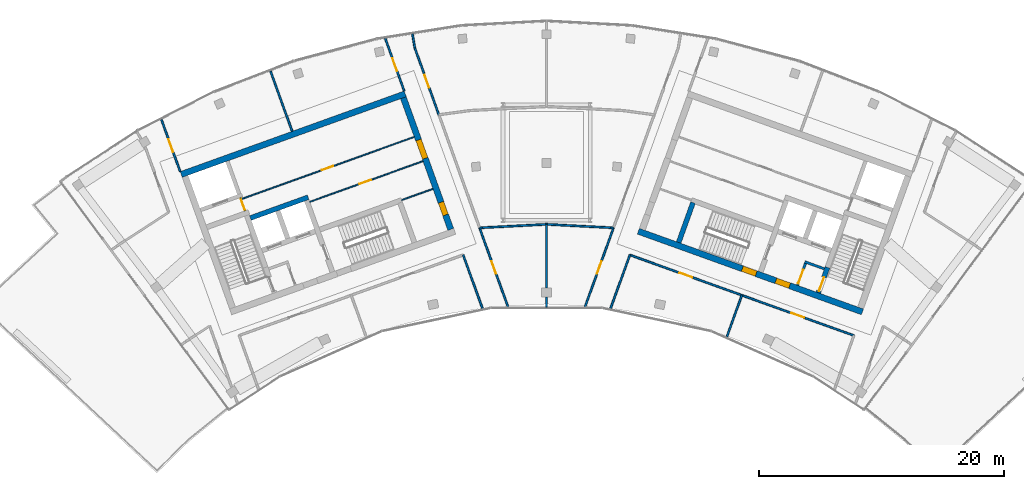
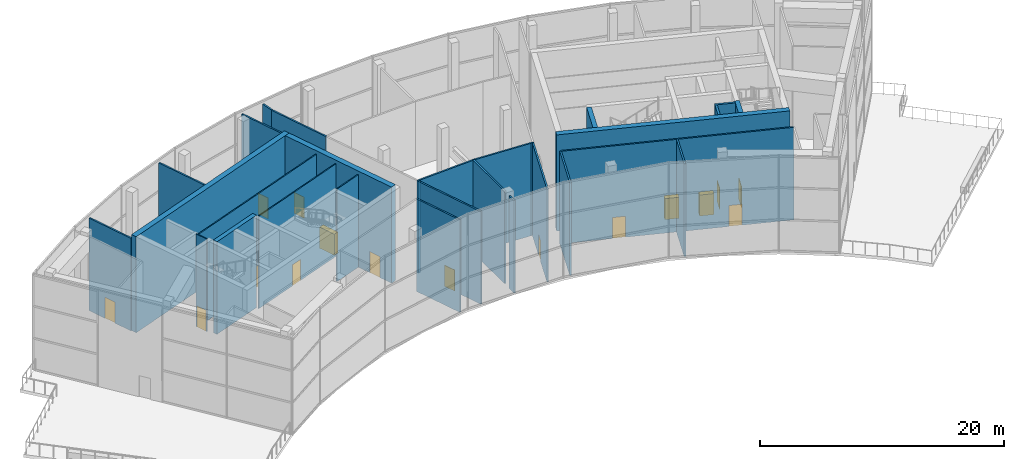
# One storey, part 14 of 20: 30 walls, 16 doors, 16 openings.
"""IFC4 building model written with IfcOpenShell, lengths in metres."""

from ifc_helpers import new_model, si_unit, direction, frame, frame_2d, origin, place, context, subcontext, project, spatial, rectangle, extrude, material, layer, layer_set, type_object, element, fill, save


model = new_model("IFC4")

# Units and contexts
model_context = context("Model", 3, precision=1e-05, world=origin(), true_north=direction((0.0, 1.0)))
body_context = subcontext(model_context, "Body", "Model", "MODEL_VIEW")
ifc_project = project(units=[si_unit("LENGTHUNIT", "METRE"), si_unit("AREAUNIT", "SQUARE_METRE"), si_unit("VOLUMEUNIT", "CUBIC_METRE"), si_unit("PLANEANGLEUNIT", "RADIAN"), si_unit("MASSUNIT", "GRAM", prefix="KILO")], contexts=[model_context])

# Site, building, storey
site_placement = place(None, origin())
site = spatial("IfcSite", under=ifc_project, at=site_placement, CompositionType="ELEMENT")
building_placement = place(site_placement, origin())
building = spatial("IfcBuilding", under=site, at=building_placement, Name="Stone Belt Terrace Tower", CompositionType="ELEMENT")
storey_placement = place(building_placement, frame((0.0, 0.0, 323.0)))
storey = spatial("IfcBuildingStorey", under=building, at=storey_placement, Name="L78", CompositionType="ELEMENT", Elevation=323.0)

# Wall, opening, door
ifc_material_1 = material(Name="Plasterboard partition")
ifc_layer_1 = layer(ifc_material_1, 0.10009765625)
ifc_layer_set_1 = layer_set([ifc_layer_1], Name="Core partition 100")
wall_type_1 = type_object("IfcWallType", Name="Core partition 100", PredefinedType="PARTITIONING", material=ifc_layer_set_1)
wall_1_placement = place(storey_placement, frame((-24.555908203125, 51.10400390625, 0.0), z_axis=(0.0, 0.0, 1.0), x_axis=(-0.338621735342, 0.94092258999, 0.0)))
wall_1 = element("IfcWall", 1, at=wall_1_placement, inside=storey, type_object=wall_type_1, Name="Core A wall", PredefinedType="PARTITIONING", context=body_context, shape_type="SweptSolid", body=[
    extrude(rectangle(XDim=1.14990234375, YDim=0.10009765625, at=frame_2d((0.574951171875, 0.0))), origin(), (0.0, 0.0, 1.0), 9.25),
])
opening_1_placement = place(wall_1_placement, frame((0.050048828125, 0.0, 0.0)))
opening_1 = element("IfcOpeningElement", 2, at=opening_1_placement, cuts=wall_1, Name="Opening L78-C03", PredefinedType="OPENING", context=body_context, shape_type="SweptSolid", body=[
    extrude(rectangle(XDim=1.0, YDim=2.10009765625, at=frame_2d((0.5, 1.050048828125))), frame((0.0, 0.06005859375, 0.0), z_axis=(0.0, -1.0, 0.0), x_axis=(1.0, 0.0, 0.0)), (0.0, 0.0, 1.0), 0.1201171875),
])
ifc_material_2 = material(Name="Timber door leaf", Category="wood")
door_type_1 = type_object("IfcDoorType", Name="Core room door 1000", OperationType="SINGLE_SWING_LEFT", PredefinedType="DOOR", material=ifc_material_2)
door_1_placement = place(opening_1_placement, origin())
door_1 = element("IfcDoor", 3, at=door_1_placement, inside=storey, type_object=door_type_1, Name="Service lift lobby door core A", OperationType="SINGLE_SWING_RIGHT", OverallHeight=2.10009765625, OverallWidth=1.0, PredefinedType="DOOR", context=body_context, shape_type="SweptSolid", body=[
    extrude(rectangle(XDim=1.0, YDim=2.10009765625, at=frame_2d((0.5, 1.050048828125))), frame((0.0, 0.02490234375, 0.0), z_axis=(0.0, -1.0, 0.0), x_axis=(1.0, 0.0, 0.0)), (0.0, 0.0, 1.0), 0.050048828125),
])
fill(opening_1, door_1)

wall_2_placement = place(storey_placement, frame((-24.847412109375, 52.061767578125, 0.0), z_axis=(0.0, 0.0, 1.0), x_axis=(0.940921131887, 0.338625786921, 0.0)))
wall_2 = element("IfcWall", 4, at=wall_2_placement, inside=storey, type_object=wall_type_1, Name="Core A wall", PredefinedType="PARTITIONING", context=body_context, shape_type="SweptSolid", body=[
    extrude(rectangle(XDim=14.9501953125, YDim=0.10009765625, at=frame_2d((7.47509765625, 0.0))), origin(), (0.0, 0.0, 1.0), 9.25),
])
opening_2_placement = place(wall_2_placement, frame((6.949951171875, 0.0, 0.0)))
opening_2 = element("IfcOpeningElement", 5, at=opening_2_placement, cuts=wall_2, Name="Opening L78-C01", PredefinedType="OPENING", context=body_context, shape_type="SweptSolid", body=[
    extrude(rectangle(XDim=1.0, YDim=2.10009765625, at=frame_2d((0.5, 1.050048828125))), frame((0.0, 0.06005859375, 0.0), z_axis=(0.0, -1.0, 0.0), x_axis=(1.0, 0.0, 0.0)), (0.0, 0.0, 1.0), 0.1201171875),
])
door_2_placement = place(opening_2_placement, origin())
door_2 = element("IfcDoor", 6, at=door_2_placement, inside=storey, type_object=door_type_1, Name="Door to Electrical room core A", OperationType="SINGLE_SWING_RIGHT", OverallHeight=2.10009765625, OverallWidth=1.0, PredefinedType="DOOR", context=body_context, shape_type="SweptSolid", body=[
    extrude(rectangle(XDim=1.0, YDim=2.10009765625, at=frame_2d((0.5, 1.050048828125))), frame((0.0, 0.02490234375, 0.0), z_axis=(0.0, -1.0, 0.0), x_axis=(1.0, 0.0, 0.0)), (0.0, 0.0, 1.0), 0.050048828125),
])
fill(opening_2, door_2)

wall_3_placement = place(storey_placement, frame((-19.29052734375, 51.829833984375, 0.0), z_axis=(0.0, 0.0, 1.0), x_axis=(0.940925833398, 0.338612722803, 0.0)))
wall_3 = element("IfcWall", 7, at=wall_3_placement, inside=storey, type_object=wall_type_1, Name="Core A wall", PredefinedType="PARTITIONING", context=body_context, shape_type="SweptSolid", body=[
    extrude(rectangle(XDim=9.7998046875, YDim=0.10009765625, at=frame_2d((4.89990234375, 0.0))), origin(), (0.0, 0.0, 1.0), 9.25),
])
opening_3_placement = place(wall_3_placement, frame((4.300048828125, 0.0, 0.0)))
opening_3 = element("IfcOpeningElement", 8, at=opening_3_placement, cuts=wall_3, Name="Opening L78-C02", PredefinedType="OPENING", context=body_context, shape_type="SweptSolid", body=[
    extrude(rectangle(XDim=1.0, YDim=2.10009765625, at=frame_2d((0.5, 1.050048828125))), frame((0.0, 0.06005859375, 0.0), z_axis=(0.0, -1.0, 0.0), x_axis=(1.0, 0.0, 0.0)), (0.0, 0.0, 1.0), 0.1201171875),
])
door_3_placement = place(opening_3_placement, origin())
door_3 = element("IfcDoor", 9, at=door_3_placement, inside=storey, type_object=door_type_1, Name="Door to Ventilation plant room core A", OperationType="SINGLE_SWING_RIGHT", OverallHeight=2.10009765625, OverallWidth=1.0, PredefinedType="DOOR", context=body_context, shape_type="SweptSolid", body=[
    extrude(rectangle(XDim=1.0, YDim=2.10009765625, at=frame_2d((0.5, 1.050048828125))), frame((0.0, 0.02490234375, 0.0), z_axis=(0.0, -1.0, 0.0), x_axis=(1.0, 0.0, 0.0)), (0.0, 0.0, 1.0), 0.050048828125),
])
fill(opening_3, door_3)

# Walls
wall_4_placement = place(storey_placement, frame((-11.797119140625, 51.975830078125, 0.0), z_axis=(0.0, 0.0, 1.0), x_axis=(0.940910465161, 0.33865542451, 0.0)))
element("IfcWall", 10, at=wall_4_placement, inside=storey, type_object=wall_type_1, Name="Core A wall", PredefinedType="PARTITIONING", context=body_context, shape_type="SweptSolid", body=[
    extrude(rectangle(XDim=2.69970703125, YDim=0.10009765625, at=frame_2d((1.349853515625, 0.0))), origin(), (0.0, 0.0, 1.0), 9.25),
])
ifc_material_3 = material(Name="Concrete B60", Category="concrete")
ifc_layer_2 = layer(ifc_material_3, 0.5)
ifc_layer_set_2 = layer_set([ifc_layer_2], Name="Core wall 500 B60")
wall_type_2 = type_object("IfcWallType", Name="Core wall 500 B60", PredefinedType="SHEAR", material=ifc_layer_set_2)
wall_5_placement = place(storey_placement, frame((-29.76611328125, 54.064453125, 0.0), z_axis=(0.0, 0.0, 1.0), x_axis=(0.940921417488, 0.338624993336, 0.0)))
element("IfcWall", 11, at=wall_5_placement, inside=storey, type_object=wall_type_2, Name="Core A wall convex L78", PredefinedType="SHEAR", context=body_context, shape_type="SweptSolid", body=[
    extrude(rectangle(XDim=19.400146484375, YDim=0.5, at=frame_2d((9.7001953125, 0.0))), origin(), (0.0, 0.0, 1.0), 9.60009765625),
])

# Wall, openings, doors
wall_6_placement = place(storey_placement, frame((-7.802490234375, 49.58740234375, 0.0), z_axis=(0.0, 0.0, 1.0), x_axis=(-0.338625431531, 0.940921259788, 0.0)))
wall_6 = element("IfcWall", 12, at=wall_6_placement, inside=storey, type_object=wall_type_2, Name="Core A wall end_b L78", PredefinedType="SHEAR", context=body_context, shape_type="SweptSolid", body=[
    extrude(rectangle(XDim=11.400146484375, YDim=0.5, at=frame_2d((5.7001953125, 0.0))), origin(), (0.0, 0.0, 1.0), 9.60009765625),
])
opening_4_placement = place(wall_6_placement, frame((6.14990234375, 0.0, 0.0)))
opening_4 = element("IfcOpeningElement", 13, at=opening_4_placement, cuts=wall_6, Name="Opening L78-C04", PredefinedType="OPENING", context=body_context, shape_type="SweptSolid", body=[
    extrude(rectangle(XDim=1.60009765625, YDim=2.10009765625, at=frame_2d((0.800048828125, 1.050048828125))), frame((0.0, 0.260009765625, 0.0), z_axis=(0.0, -1.0, 0.0), x_axis=(1.0, 0.0, 0.0)), (0.0, 0.0, 1.0), 0.52001953125),
])
opening_5_placement = place(wall_6_placement, frame((1.25, 0.0, 0.0)))
opening_5 = element("IfcOpeningElement", 14, at=opening_5_placement, cuts=wall_6, Name="Opening L78-C10", PredefinedType="OPENING", context=body_context, shape_type="SweptSolid", body=[
    extrude(rectangle(XDim=1.10009765625, YDim=2.10009765625, at=frame_2d((0.550048828125, 1.050048828125))), frame((0.0, 0.260009765625, 0.0), z_axis=(0.0, -1.0, 0.0), x_axis=(1.0, 0.0, 0.0)), (0.0, 0.0, 1.0), 0.52001953125),
])
door_type_2 = type_object("IfcDoorType", Name="Core room door 1100", OperationType="SINGLE_SWING_LEFT", PredefinedType="DOOR", material=ifc_material_2)
door_4_placement = place(opening_5_placement, origin())
door_4 = element("IfcDoor", 15, at=door_4_placement, inside=storey, type_object=door_type_2, Name="Door to Mechanical plant room core A", OperationType="SINGLE_SWING_RIGHT", OverallHeight=2.10009765625, OverallWidth=1.10009765625, PredefinedType="DOOR", context=body_context, shape_type="SweptSolid", body=[
    extrude(rectangle(XDim=1.10009765625, YDim=2.10009765625, at=frame_2d((0.550048828125, 1.050048828125))), frame((0.0, 0.22998046875, 0.0), z_axis=(0.0, -1.0, 0.0), x_axis=(1.0, 0.0, 0.0)), (0.0, 0.0, 1.0), 0.4599609375),
])
fill(opening_5, door_4)
ifc_material_4 = material(Name="Glazed aluminium door leaf", Category="aluminium")
door_type_3 = type_object("IfcDoorType", Name="Lift lobby entrance door 1600", OperationType="DOUBLE_DOOR_SINGLE_SWING", PredefinedType="DOOR", material=ifc_material_4)
door_5_placement = place(opening_4_placement, origin())
door_5 = element("IfcDoor", 16, at=door_5_placement, inside=storey, type_object=door_type_3, Name="Lift lobby entrance door core A", OperationType="DOUBLE_DOOR_SINGLE_SWING", OverallHeight=2.10009765625, OverallWidth=1.60009765625, PredefinedType="DOOR", context=body_context, shape_type="SweptSolid", body=[
    extrude(rectangle(XDim=1.60009765625, YDim=2.10009765625, at=frame_2d((0.800048828125, 1.050048828125))), frame((0.0, 0.22998046875, 0.0), z_axis=(0.0, -1.0, 0.0), x_axis=(1.0, 0.0, 0.0)), (0.0, 0.0, 1.0), 0.4599609375),
])
fill(opening_4, door_5)

wall_7_placement = place(storey_placement, frame((7.482666015625, 49.43701171875, 0.0), z_axis=(0.0, 0.0, 1.0), x_axis=(0.940917407757, -0.338636134781, 0.0)))
wall_7 = element("IfcWall", 17, at=wall_7_placement, inside=storey, type_object=wall_type_2, Name="Core B wall concave L78", PredefinedType="SHEAR", context=body_context, shape_type="SweptSolid", body=[
    extrude(rectangle(XDim=19.400146484375, YDim=0.5, at=frame_2d((9.7001953125, 0.0))), origin(), (0.0, 0.0, 1.0), 9.60009765625),
])
opening_6_placement = place(wall_7_placement, frame((11.89990234375, 0.0, 0.0)))
opening_6 = element("IfcOpeningElement", 18, at=opening_6_placement, cuts=wall_7, Name="Opening L78-C17", PredefinedType="OPENING", context=body_context, shape_type="SweptSolid", body=[
    extrude(rectangle(XDim=1.199951171875, YDim=2.10009765625, at=frame_2d((0.60009765625, 1.050048828125))), frame((0.0, 0.260009765625, 0.0), z_axis=(0.0, -1.0, 0.0), x_axis=(1.0, 0.0, 0.0)), (0.0, 0.0, 1.0), 0.52001953125),
])
opening_7_placement = place(wall_7_placement, frame((9.0, 0.0, 0.0)))
opening_7 = element("IfcOpeningElement", 19, at=opening_7_placement, cuts=wall_7, Name="Opening L78-C19", PredefinedType="OPENING", context=body_context, shape_type="SweptSolid", body=[
    extrude(rectangle(XDim=1.199951171875, YDim=2.10009765625, at=frame_2d((0.60009765625, 1.050048828125))), frame((0.0, 0.260009765625, 0.0), z_axis=(0.0, -1.0, 0.0), x_axis=(1.0, 0.0, 0.0)), (0.0, 0.0, 1.0), 0.52001953125),
])
ifc_material_5 = material(Name="Steel door leaf", Category="steel")
door_type_4 = type_object("IfcDoorType", Name="Fire-fighting lobby door 1200", OperationType="SINGLE_SWING_LEFT", PredefinedType="DOOR", material=ifc_material_5)
door_6_placement = place(opening_6_placement, origin())
door_6 = element("IfcDoor", 20, at=door_6_placement, inside=storey, type_object=door_type_4, Name="Fire-fighting lobby door core B", OperationType="SINGLE_SWING_LEFT", OverallHeight=2.10009765625, OverallWidth=1.199951171875, PredefinedType="DOOR", context=body_context, shape_type="SweptSolid", body=[
    extrude(rectangle(XDim=1.199951171875, YDim=2.10009765625, at=frame_2d((0.60009765625, 1.050048828125))), frame((0.0, 0.22998046875, 0.0), z_axis=(0.0, -1.0, 0.0), x_axis=(1.0, 0.0, 0.0)), (0.0, 0.0, 1.0), 0.4599609375),
])
fill(opening_6, door_6)
door_type_5 = type_object("IfcDoorType", Name="Stair door 1200", OperationType="SINGLE_SWING_LEFT", PredefinedType="DOOR", material=ifc_material_5)
door_7_placement = place(opening_7_placement, origin())
door_7 = element("IfcDoor", 21, at=door_7_placement, inside=storey, type_object=door_type_5, Name="Stair 2 exit door core B", OperationType="SINGLE_SWING_RIGHT", OverallHeight=2.10009765625, OverallWidth=1.199951171875, PredefinedType="DOOR", context=body_context, shape_type="SweptSolid", body=[
    extrude(rectangle(XDim=1.199951171875, YDim=2.10009765625, at=frame_2d((0.60009765625, 1.050048828125))), frame((0.0, 0.22998046875, 0.0), z_axis=(0.0, -1.0, 0.0), x_axis=(1.0, 0.0, 0.0)), (0.0, 0.0, 1.0), 0.4599609375),
])
fill(opening_7, door_7)

# Wall
ifc_material_6 = material(Name="Concrete B80", Category="concrete")
ifc_layer_3 = layer(ifc_material_6, 0.39990234375)
ifc_layer_set_3 = layer_set([ifc_layer_3], Name="Fire-fighting lift shaft wall 400")
wall_type_3 = type_object("IfcWallType", Name="Fire-fighting lift shaft wall 400", PredefinedType="SHEAR", material=ifc_layer_set_3)
wall_8_placement = place(storey_placement, frame((-24.130615234375, 50.512939453125, 0.0), z_axis=(0.0, 0.0, 1.0), x_axis=(0.94091168377, 0.338652038744, 0.0)))
element("IfcWall", 22, at=wall_8_placement, inside=storey, type_object=wall_type_3, Name="Core A wall", PredefinedType="SHEAR", context=body_context, shape_type="SweptSolid", body=[
    extrude(rectangle(XDim=5.000244140625, YDim=0.39990234375, at=frame_2d((2.5, 0.0))), origin(), (0.0, 0.0, 1.0), 9.25),
])

# Wall, opening, door
ifc_material_7 = material(Name="Gypsum board partition")
ifc_layer_4 = layer(ifc_material_7, 0.14990234375)
ifc_layer_set_4 = layer_set([ifc_layer_4], Name="PARTITION 150 EI 60")
wall_type_4 = type_object("IfcWallType", Name="PARTITION 150 EI 60", PredefinedType="PARTITIONING", material=ifc_layer_set_4)
wall_9_placement = place(storey_placement, frame((-31.3779296875, 58.541015625, 0.0), z_axis=(0.0, 0.0, 1.0), x_axis=(0.338740565995, -0.940879816421, 0.0)))
wall_9 = element("IfcWall", 23, at=wall_9_placement, inside=storey, type_object=wall_type_4, Name="L78/wall/i002", PredefinedType="PARTITIONING", context=body_context, shape_type="SweptSolid", body=[
    extrude(rectangle(XDim=4.507568359375, YDim=0.14990234375, at=frame_2d((2.25390625, 0.0))), origin(), (0.0, 0.0, 1.0), 9.25),
])
opening_8_placement = place(wall_9_placement, frame((1.703857421875, 0.0, 0.0)))
opening_8 = element("IfcOpeningElement", 24, at=opening_8_placement, cuts=wall_9, Name="Opening D-C78-03", PredefinedType="OPENING", context=body_context, shape_type="SweptSolid", body=[
    extrude(rectangle(XDim=1.10009765625, YDim=2.10009765625, at=frame_2d((0.550048828125, 1.050048828125))), frame((0.0, 0.0849609375, 0.0), z_axis=(0.0, -1.0, 0.0), x_axis=(1.0, 0.0, 0.0)), (0.0, 0.0, 1.0), 0.169921875),
])
ifc_material_8 = material(Name="Steel fire door set", Category="steel")
door_type_6 = type_object("IfcDoorType", Name="SERVICE ROOM DOOR 1100 X 2100", OperationType="NOTDEFINED", PredefinedType="DOOR", material=ifc_material_8)
door_8_placement = place(opening_8_placement, origin())
door_8 = element("IfcDoor", 25, at=door_8_placement, inside=storey, type_object=door_type_6, Name="L78/door/i03", OperationType="SINGLE_SWING_RIGHT", OverallHeight=2.10009765625, OverallWidth=1.10009765625, PredefinedType="DOOR", context=body_context, shape_type="SweptSolid", body=[
    extrude(rectangle(XDim=1.10009765625, YDim=2.10009765625, at=frame_2d((0.550048828125, 1.050048828125))), frame((0.0, 0.02490234375, 0.0), z_axis=(0.0, -1.0, 0.0), x_axis=(1.0, 0.0, 0.0)), (0.0, 0.0, 1.0), 0.050048828125),
])
fill(opening_8, door_8)

# Wall
wall_10_placement = place(storey_placement, frame((-5.209228515625, 43.120849609375, 0.0), z_axis=(0.0, 0.0, 1.0), x_axis=(-0.338587995336, 0.94093473175, 0.0)))
element("IfcWall", 26, at=wall_10_placement, inside=storey, type_object=wall_type_4, Name="L78/wall/i011", PredefinedType="PARTITIONING", context=body_context, shape_type="SweptSolid", body=[
    extrude(rectangle(XDim=4.6689453125, YDim=0.14990234375, at=frame_2d((2.33447265625, 0.0))), origin(), (0.0, 0.0, 1.0), 9.25),
])

# Wall, opening, door
wall_11_placement = place(storey_placement, frame((-11.596923828125, 60.868896484375, 0.0), z_axis=(0.0, 0.0, 1.0), x_axis=(-0.338658709295, 0.940909282885, 0.0)))
wall_11 = element("IfcWall", 27, at=wall_11_placement, inside=storey, type_object=wall_type_4, Name="L78/wall/i012", PredefinedType="PARTITIONING", context=body_context, shape_type="SweptSolid", body=[
    extrude(rectangle(XDim=4.55322265625, YDim=0.14990234375, at=frame_2d((2.276611328125, 0.0))), origin(), (0.0, 0.0, 1.0), 9.25),
])
opening_9_placement = place(wall_11_placement, frame((1.7265625, 0.0, 0.0)))
opening_9 = element("IfcOpeningElement", 28, at=opening_9_placement, cuts=wall_11, Name="Opening D-C78-04", PredefinedType="OPENING", context=body_context, shape_type="SweptSolid", body=[
    extrude(rectangle(XDim=1.10009765625, YDim=2.10009765625, at=frame_2d((0.550048828125, 1.050048828125))), frame((0.0, 0.0849609375, 0.0), z_axis=(0.0, -1.0, 0.0), x_axis=(1.0, 0.0, 0.0)), (0.0, 0.0, 1.0), 0.169921875),
])
door_9_placement = place(opening_9_placement, origin())
door_9 = element("IfcDoor", 29, at=door_9_placement, inside=storey, type_object=door_type_6, Name="L78/door/i04", OperationType="SINGLE_SWING_RIGHT", OverallHeight=2.10009765625, OverallWidth=1.10009765625, PredefinedType="DOOR", context=body_context, shape_type="SweptSolid", body=[
    extrude(rectangle(XDim=1.10009765625, YDim=2.10009765625, at=frame_2d((0.550048828125, 1.050048828125))), frame((0.0, 0.02490234375, 0.0), z_axis=(0.0, -1.0, 0.0), x_axis=(1.0, 0.0, 0.0)), (0.0, 0.0, 1.0), 0.050048828125),
])
fill(opening_9, door_9)

wall_12_placement = place(storey_placement, frame((-5.451904296875, 49.701904296875, 0.0), z_axis=(0.0, 0.0, 1.0), x_axis=(0.338610840679, -0.94092651072, 0.0)))
wall_12 = element("IfcWall", 30, at=wall_12_placement, inside=storey, type_object=wall_type_4, Name="L78/wall/i013", PredefinedType="PARTITIONING", context=body_context, shape_type="SweptSolid", body=[
    extrude(rectangle(XDim=6.844482421875, YDim=0.14990234375, at=frame_2d((3.42236328125, 0.0))), origin(), (0.0, 0.0, 1.0), 9.25),
])
opening_10_placement = place(wall_12_placement, frame((2.872314453125, 0.0, 0.0)))
opening_10 = element("IfcOpeningElement", 31, at=opening_10_placement, cuts=wall_12, Name="Opening D-C78-13", PredefinedType="OPENING", context=body_context, shape_type="SweptSolid", body=[
    extrude(rectangle(XDim=1.10009765625, YDim=2.10009765625, at=frame_2d((0.550048828125, 1.050048828125))), frame((0.0, 0.0849609375, 0.0), z_axis=(0.0, -1.0, 0.0), x_axis=(1.0, 0.0, 0.0)), (0.0, 0.0, 1.0), 0.169921875),
])
door_10_placement = place(opening_10_placement, origin())
door_10 = element("IfcDoor", 32, at=door_10_placement, inside=storey, type_object=door_type_6, Name="L78/door/i13", OperationType="SINGLE_SWING_RIGHT", OverallHeight=2.10009765625, OverallWidth=1.10009765625, PredefinedType="DOOR", context=body_context, shape_type="SweptSolid", body=[
    extrude(rectangle(XDim=1.10009765625, YDim=2.10009765625, at=frame_2d((0.550048828125, 1.050048828125))), frame((0.0, 0.02490234375, 0.0), z_axis=(0.0, -1.0, 0.0), x_axis=(1.0, 0.0, 0.0)), (0.0, 0.0, 1.0), 0.050048828125),
])
fill(opening_10, door_10)

# Wall
wall_13_placement = place(storey_placement, frame((-10.922607421875, 65.505615234375, 0.0), z_axis=(0.0, 0.0, 1.0), x_axis=(0.165330548081, -0.986238211525, 0.0)))
element("IfcWall", 33, at=wall_13_placement, inside=storey, type_object=wall_type_4, Name="L78/wall/i014", PredefinedType="PARTITIONING", context=body_context, shape_type="SweptSolid", body=[
    extrude(rectangle(XDim=1.1474609375, YDim=0.14990234375, at=frame_2d((0.57373046875, 0.0))), origin(), (0.0, 0.0, 1.0), 9.25),
])

# Wall, opening, door
wall_14_placement = place(storey_placement, frame((-10.73291015625, 64.373046875, 0.0), z_axis=(0.0, 0.0, 1.0), x_axis=(0.338655299011, -0.940910510331, 0.0)))
wall_14 = element("IfcWall", 34, at=wall_14_placement, inside=storey, type_object=wall_type_4, Name="L78/wall/i015", PredefinedType="PARTITIONING", context=body_context, shape_type="SweptSolid", body=[
    extrude(rectangle(XDim=5.793212890625, YDim=0.14990234375, at=frame_2d((2.896484375, 0.0))), origin(), (0.0, 0.0, 1.0), 9.25),
])
opening_11_placement = place(wall_14_placement, frame((2.3466796875, 0.0, 0.0)))
opening_11 = element("IfcOpeningElement", 35, at=opening_11_placement, cuts=wall_14, Name="Opening D-C78-15", PredefinedType="OPENING", context=body_context, shape_type="SweptSolid", body=[
    extrude(rectangle(XDim=1.10009765625, YDim=2.10009765625, at=frame_2d((0.550048828125, 1.050048828125))), frame((0.0, 0.0849609375, 0.0), z_axis=(0.0, -1.0, 0.0), x_axis=(1.0, 0.0, 0.0)), (0.0, 0.0, 1.0), 0.169921875),
])
door_11_placement = place(opening_11_placement, origin())
door_11 = element("IfcDoor", 36, at=door_11_placement, inside=storey, type_object=door_type_6, Name="L78/door/i15", OperationType="SINGLE_SWING_RIGHT", OverallHeight=2.10009765625, OverallWidth=1.10009765625, PredefinedType="DOOR", context=body_context, shape_type="SweptSolid", body=[
    extrude(rectangle(XDim=1.10009765625, YDim=2.10009765625, at=frame_2d((0.550048828125, 1.050048828125))), frame((0.0, 0.02490234375, 0.0), z_axis=(0.0, -1.0, 0.0), x_axis=(1.0, 0.0, 0.0)), (0.0, 0.0, 1.0), 0.050048828125),
])
fill(opening_11, door_11)

# Walls
wall_15_placement = place(storey_placement, frame((-22.492919921875, 62.4990234375, 0.0), z_axis=(0.0, 0.0, 1.0), x_axis=(0.338615199904, -0.940924941956, 0.0)))
element("IfcWall", 37, at=wall_15_placement, inside=storey, type_object=wall_type_4, Name="L78/wall/i020", PredefinedType="PARTITIONING", context=body_context, shape_type="SweptSolid", body=[
    extrude(rectangle(XDim=5.2236328125, YDim=0.14990234375, at=frame_2d((2.61181640625, 0.0))), origin(), (0.0, 0.0, 1.0), 9.25),
])
wall_16_placement = place(storey_placement, frame((6.7900390625, 47.513916015625, 0.0), z_axis=(0.0, 0.0, 1.0), x_axis=(-0.338587995336, -0.94093473175, 0.0)))
element("IfcWall", 38, at=wall_16_placement, inside=storey, type_object=wall_type_4, Name="L78/wall/i021", PredefinedType="PARTITIONING", context=body_context, shape_type="SweptSolid", body=[
    extrude(rectangle(XDim=4.6689453125, YDim=0.14990234375, at=frame_2d((2.33447265625, 0.0))), origin(), (0.0, 0.0, 1.0), 9.25),
])

# Wall, opening, door
wall_17_placement = place(storey_placement, frame((3.13427734375, 43.26171875, 0.0), z_axis=(0.0, 0.0, 1.0), x_axis=(0.338610840679, 0.94092651072, 0.0)))
wall_17 = element("IfcWall", 39, at=wall_17_placement, inside=storey, type_object=wall_type_4, Name="L78/wall/i023", PredefinedType="PARTITIONING", context=body_context, shape_type="SweptSolid", body=[
    extrude(rectangle(XDim=6.844482421875, YDim=0.14990234375, at=frame_2d((3.42236328125, 0.0))), origin(), (0.0, 0.0, 1.0), 9.25),
])
opening_12_placement = place(wall_17_placement, frame((2.872314453125, 0.0, 0.0)))
opening_12 = element("IfcOpeningElement", 40, at=opening_12_placement, cuts=wall_17, Name="Opening D-C78-14", PredefinedType="OPENING", context=body_context, shape_type="SweptSolid", body=[
    extrude(rectangle(XDim=1.10009765625, YDim=2.10009765625, at=frame_2d((0.550048828125, 1.050048828125))), frame((0.0, 0.0849609375, 0.0), z_axis=(0.0, -1.0, 0.0), x_axis=(1.0, 0.0, 0.0)), (0.0, 0.0, 1.0), 0.169921875),
])
door_12_placement = place(opening_12_placement, origin())
door_12 = element("IfcDoor", 41, at=door_12_placement, inside=storey, type_object=door_type_6, Name="L78/door/i14", OperationType="SINGLE_SWING_RIGHT", OverallHeight=2.10009765625, OverallWidth=1.10009765625, PredefinedType="DOOR", context=body_context, shape_type="SweptSolid", body=[
    extrude(rectangle(XDim=1.10009765625, YDim=2.10009765625, at=frame_2d((0.550048828125, 1.050048828125))), frame((0.0, 0.02490234375, 0.0), z_axis=(0.0, -1.0, 0.0), x_axis=(1.0, 0.0, 0.0)), (0.0, 0.0, 1.0), 0.050048828125),
])
fill(opening_12, door_12)

wall_18_placement = place(storey_placement, frame((15.9208984375, 44.221923828125, 0.0), z_axis=(0.0, 0.0, 1.0), x_axis=(-0.940942551854, 0.33856626251, 0.0)))
wall_18 = element("IfcWall", 42, at=wall_18_placement, inside=storey, type_object=wall_type_4, Name="L78/wall/i037", PredefinedType="PARTITIONING", context=body_context, shape_type="SweptSolid", body=[
    extrude(rectangle(XDim=9.7060546875, YDim=0.14990234375, at=frame_2d((4.85302734375, 0.0))), origin(), (0.0, 0.0, 1.0), 9.25),
])
opening_13_placement = place(wall_18_placement, frame((4.302978515625, 0.0, 0.0)))
opening_13 = element("IfcOpeningElement", 43, at=opening_13_placement, cuts=wall_18, Name="Opening D-C78-05", PredefinedType="OPENING", context=body_context, shape_type="SweptSolid", body=[
    extrude(rectangle(XDim=1.10009765625, YDim=2.10009765625, at=frame_2d((0.550048828125, 1.050048828125))), frame((0.0, 0.0849609375, 0.0), z_axis=(0.0, -1.0, 0.0), x_axis=(1.0, 0.0, 0.0)), (0.0, 0.0, 1.0), 0.169921875),
])
door_13_placement = place(opening_13_placement, origin())
door_13 = element("IfcDoor", 44, at=door_13_placement, inside=storey, type_object=door_type_6, Name="L78/door/i05", OperationType="SINGLE_SWING_RIGHT", OverallHeight=2.10009765625, OverallWidth=1.10009765625, PredefinedType="DOOR", context=body_context, shape_type="SweptSolid", body=[
    extrude(rectangle(XDim=1.10009765625, YDim=2.10009765625, at=frame_2d((0.550048828125, 1.050048828125))), frame((0.0, 0.02490234375, 0.0), z_axis=(0.0, -1.0, 0.0), x_axis=(1.0, 0.0, 0.0)), (0.0, 0.0, 1.0), 0.050048828125),
])
fill(opening_13, door_13)

wall_19_placement = place(storey_placement, frame((25.0419921875, 40.93896484375, 0.0), z_axis=(0.0, 0.0, 1.0), x_axis=(-0.940945435026, 0.338558249498, 0.0)))
wall_19 = element("IfcWall", 45, at=wall_19_placement, inside=storey, type_object=wall_type_4, Name="L78/wall/i038", PredefinedType="PARTITIONING", context=body_context, shape_type="SweptSolid", body=[
    extrude(rectangle(XDim=9.706298828125, YDim=0.14990234375, at=frame_2d((4.85302734375, 0.0))), origin(), (0.0, 0.0, 1.0), 9.25),
])
opening_14_placement = place(wall_19_placement, frame((4.302978515625, 0.0, 0.0)))
opening_14 = element("IfcOpeningElement", 46, at=opening_14_placement, cuts=wall_19, Name="Opening D-C78-06", PredefinedType="OPENING", context=body_context, shape_type="SweptSolid", body=[
    extrude(rectangle(XDim=1.10009765625, YDim=2.10009765625, at=frame_2d((0.550048828125, 1.050048828125))), frame((0.0, 0.0849609375, 0.0), z_axis=(0.0, -1.0, 0.0), x_axis=(1.0, 0.0, 0.0)), (0.0, 0.0, 1.0), 0.169921875),
])
door_14_placement = place(opening_14_placement, origin())
door_14 = element("IfcDoor", 47, at=door_14_placement, inside=storey, type_object=door_type_6, Name="L78/door/i06", OperationType="SINGLE_SWING_LEFT", OverallHeight=2.10009765625, OverallWidth=1.10009765625, PredefinedType="DOOR", context=body_context, shape_type="SweptSolid", body=[
    extrude(rectangle(XDim=1.10009765625, YDim=2.10009765625, at=frame_2d((0.550048828125, 1.050048828125))), frame((0.0, 0.02490234375, 0.0), z_axis=(0.0, -1.0, 0.0), x_axis=(1.0, 0.0, 0.0)), (0.0, 0.0, 1.0), 0.050048828125),
])
fill(opening_14, door_14)

# Walls
wall_20_placement = place(storey_placement, frame((15.9150390625, 44.222900390625, 0.0), z_axis=(0.0, 0.0, 1.0), x_axis=(-0.338612024212, -0.940926084801, 0.0)))
element("IfcWall", 48, at=wall_20_placement, inside=storey, type_object=wall_type_4, Name="L78/wall/i039", PredefinedType="PARTITIONING", context=body_context, shape_type="SweptSolid", body=[
    extrude(rectangle(XDim=3.620849609375, YDim=0.14990234375, at=frame_2d((1.810546875, 0.0))), origin(), (0.0, 0.0, 1.0), 9.25),
])
wall_21_placement = place(storey_placement, frame((0.0, 50.0, 0.0), z_axis=(0.0, 0.0, 1.0), x_axis=(0.0, -1.0, 0.0)))
element("IfcWall", 49, at=wall_21_placement, inside=storey, type_object=wall_type_4, Name="L78/wall/i041", PredefinedType="PARTITIONING", context=body_context, shape_type="SweptSolid", body=[
    extrude(rectangle(XDim=5.175048828125, YDim=0.14990234375, at=frame_2d((2.58740234375, 0.0))), origin(), (0.0, 0.0, 1.0), 9.25),
])
wall_22_placement = place(storey_placement, frame((0.0, 44.06494140625, 0.0), z_axis=(0.0, 0.0, 1.0), x_axis=(0.0, -1.0, 0.0)))
element("IfcWall", 50, at=wall_22_placement, inside=storey, type_object=wall_type_4, Name="L78/wall/i042", PredefinedType="PARTITIONING", context=body_context, shape_type="SweptSolid", body=[
    extrude(rectangle(XDim=0.80322265625, YDim=0.14990234375, at=frame_2d((0.401611328125, 0.0))), origin(), (0.0, 0.0, 1.0), 9.25),
])
wall_23_placement = place(storey_placement, frame((-5.449951171875, 49.696044921875, 0.0), z_axis=(0.0, 0.0, 1.0), x_axis=(0.991123759287, 0.132942445357, 0.0)))
element("IfcWall", 51, at=wall_23_placement, inside=storey, type_object=wall_type_4, Name="L78/wall/i043", PredefinedType="PARTITIONING", context=body_context, shape_type="SweptSolid", body=[
    extrude(rectangle(XDim=0.225830078125, YDim=0.14990234375, at=frame_2d((0.11279296875, 0.0))), origin(), (0.0, 0.0, 1.0), 9.25),
])
for number, where, z_axis, x_axis, name in (
    (52, (-5.22607421875, 49.72607421875, 0.0), (0.0, 0.0, 1.0), (0.998629146863, 0.052343357133, 0.0), "L78/wall/i044"),
    (53, (0.0, 50.0, 0.0), (0.0, 0.0, 1.0), (0.998629146863, -0.052343357133, 0.0), "L78/wall/i045"),
):
    element("IfcWall", number, at=place(storey_placement, frame(where, z_axis=z_axis, x_axis=x_axis)), inside=storey, type_object=wall_type_4, Name=name, PredefinedType="PARTITIONING", context=body_context, shape_type="SweptSolid", body=[
        extrude(rectangle(XDim=5.233154296875, YDim=0.14990234375, at=frame_2d((2.61669921875, 0.0))), origin(), (0.0, 0.0, 1.0), 9.25),
    ])
wall_24_placement = place(storey_placement, frame((5.22607421875, 49.72607421875, 0.0), z_axis=(0.0, 0.0, 1.0), x_axis=(0.991123759287, -0.132942445357, 0.0)))
element("IfcWall", 54, at=wall_24_placement, inside=storey, type_object=wall_type_4, Name="L78/wall/i046", PredefinedType="PARTITIONING", context=body_context, shape_type="SweptSolid", body=[
    extrude(rectangle(XDim=0.225830078125, YDim=0.14990234375, at=frame_2d((0.11279296875, 0.0))), origin(), (0.0, 0.0, 1.0), 9.25),
])
ifc_material_9 = material(Name="Concrete masonry block", Category="masonry")
ifc_layer_5 = layer(ifc_material_9, 0.199951171875)
ifc_layer_set_5 = layer_set([ifc_layer_5], Name="Rated lobby wall 200")
wall_type_5 = type_object("IfcWallType", Name="Rated lobby wall 200", PredefinedType="PARTITIONING", material=ifc_layer_set_5)
wall_25_placement = place(storey_placement, frame((22.640625, 46.373046875, 0.0), z_axis=(0.0, 0.0, 1.0), x_axis=(-0.940966110313, 0.338500781747, 0.0)))
element("IfcWall", 55, at=wall_25_placement, inside=storey, type_object=wall_type_5, Name="Core B wall", PredefinedType="PARTITIONING", context=body_context, shape_type="SweptSolid", body=[
    extrude(rectangle(XDim=1.699951171875, YDim=0.199951171875, at=frame_2d((0.85009765625, 0.0))), origin(), (0.0, 0.0, 1.0), 9.25),
])

# Wall, opening, door
wall_26_placement = place(storey_placement, frame((20.4580078125, 45.032958984375, 0.0), z_axis=(0.0, 0.0, 1.0), x_axis=(0.338573865316, 0.940939816208, 0.0)))
wall_26 = element("IfcWall", 56, at=wall_26_placement, inside=storey, type_object=wall_type_5, Name="Core B wall", PredefinedType="PARTITIONING", context=body_context, shape_type="SweptSolid", body=[
    extrude(rectangle(XDim=1.900146484375, YDim=0.199951171875, at=frame_2d((0.9501953125, 0.0))), origin(), (0.0, 0.0, 1.0), 9.25),
])
opening_15_placement = place(wall_26_placement, frame((0.14990234375, 0.0, 0.0)))
opening_15 = element("IfcOpeningElement", 57, at=opening_15_placement, cuts=wall_26, Name="Opening L78-C16", PredefinedType="OPENING", context=body_context, shape_type="SweptSolid", body=[
    extrude(rectangle(XDim=1.199951171875, YDim=2.10009765625, at=frame_2d((0.60009765625, 1.050048828125))), frame((0.0, 0.10986328125, 0.0), z_axis=(0.0, -1.0, 0.0), x_axis=(1.0, 0.0, 0.0)), (0.0, 0.0, 1.0), 0.219970703125),
])
door_15_placement = place(opening_15_placement, origin())
door_15 = element("IfcDoor", 58, at=door_15_placement, inside=storey, type_object=door_type_5, Name="Stair airlock door core B", OperationType="SINGLE_SWING_LEFT", OverallHeight=2.10009765625, OverallWidth=1.199951171875, PredefinedType="DOOR", context=body_context, shape_type="SweptSolid", body=[
    extrude(rectangle(XDim=1.199951171875, YDim=2.10009765625, at=frame_2d((0.60009765625, 1.050048828125))), frame((0.0, 0.02490234375, 0.0), z_axis=(0.0, -1.0, 0.0), x_axis=(1.0, 0.0, 0.0)), (0.0, 0.0, 1.0), 0.050048828125),
])
fill(opening_15, door_15)

ifc_layer_6 = layer(ifc_material_6, 0.39990234375)
ifc_layer_set_6 = layer_set([ifc_layer_6], Name="Stair enclosure wall 400")
wall_type_6 = type_object("IfcWallType", Name="Stair enclosure wall 400", PredefinedType="SHEAR", material=ifc_layer_set_6)
wall_27_placement = place(storey_placement, frame((22.151611328125, 44.42333984375, 0.0), z_axis=(0.0, 0.0, 1.0), x_axis=(0.338577997708, 0.940938329259, 0.0)))
wall_27 = element("IfcWall", 59, at=wall_27_placement, inside=storey, type_object=wall_type_6, Name="Core B wall", PredefinedType="SHEAR", context=body_context, shape_type="SweptSolid", body=[
    extrude(rectangle(XDim=2.199951171875, YDim=0.39990234375, at=frame_2d((1.10009765625, 0.0))), origin(), (0.0, 0.0, 1.0), 9.25),
])
opening_16_placement = place(wall_27_placement, frame((0.14990234375, 0.0, 0.0)))
opening_16 = element("IfcOpeningElement", 60, at=opening_16_placement, cuts=wall_27, Name="Opening L78-C15", PredefinedType="OPENING", context=body_context, shape_type="SweptSolid", body=[
    extrude(rectangle(XDim=1.199951171875, YDim=2.10009765625, at=frame_2d((0.60009765625, 1.050048828125))), frame((0.0, 0.2099609375, 0.0), z_axis=(0.0, -1.0, 0.0), x_axis=(1.0, 0.0, 0.0)), (0.0, 0.0, 1.0), 0.419921875),
])
door_16_placement = place(opening_16_placement, origin())
door_16 = element("IfcDoor", 61, at=door_16_placement, inside=storey, type_object=door_type_5, Name="Stair 1 door core B", OperationType="SINGLE_SWING_LEFT", OverallHeight=2.10009765625, OverallWidth=1.199951171875, PredefinedType="DOOR", context=body_context, shape_type="SweptSolid", body=[
    extrude(rectangle(XDim=1.199951171875, YDim=2.10009765625, at=frame_2d((0.60009765625, 1.050048828125))), frame((0.0, 0.02490234375, 0.0), z_axis=(0.0, -1.0, 0.0), x_axis=(1.0, 0.0, 0.0)), (0.0, 0.0, 1.0), 0.050048828125),
])
fill(opening_16, door_16)

# Wall
wall_28_placement = place(storey_placement, frame((10.766357421875, 48.520751953125, 0.0), z_axis=(0.0, 0.0, 1.0), x_axis=(0.338621735342, 0.94092258999, 0.0)))
element("IfcWall", 62, at=wall_28_placement, inside=storey, type_object=wall_type_6, Name="Core B wall", PredefinedType="SHEAR", context=body_context, shape_type="SweptSolid", body=[
    extrude(rectangle(XDim=3.449951171875, YDim=0.39990234375, at=frame_2d((1.72509765625, 0.0))), origin(), (0.0, 0.0, 1.0), 9.25),
])

save(model, "model.ifc")
